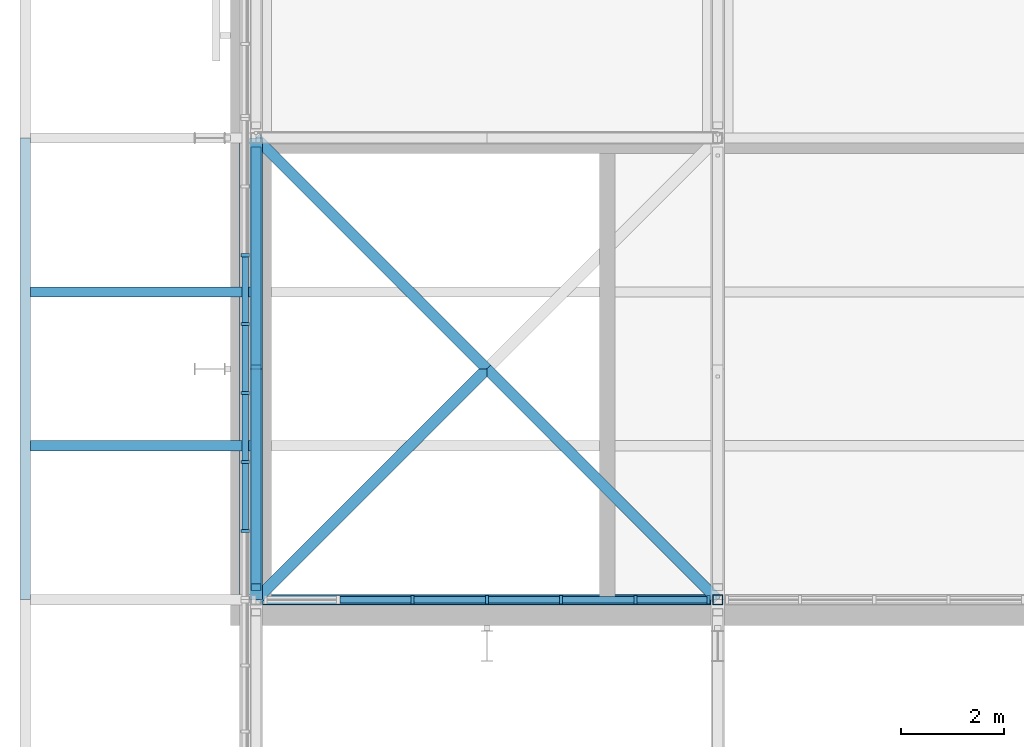
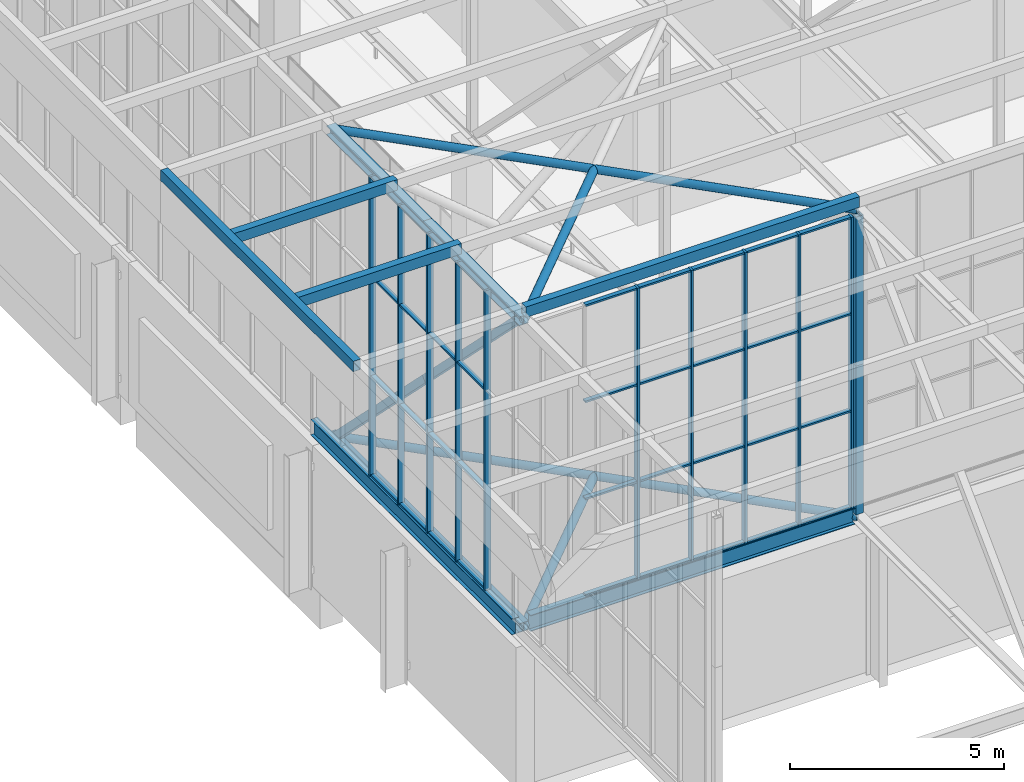
# One storey, part 9 of 646: 64 members, 2 beams, 2 elements without a shape of their own.
"""IFC4 building model written with IfcOpenShell, lengths in metres."""

from ifc_helpers import new_model, si_unit, direction, frame, origin, origin_2d, place, context, subcontext, project, spatial, rectangle, hollow_rectangle, hollow_circle, i_section, extrude, material, material_profile, profile_set, type_object, element, aggregate, save


model = new_model("IFC4")

# Units and contexts
model_context = context("Model", 3, precision=1e-05, world=origin(), true_north=direction((0.0, 1.0)))
body_context = subcontext(model_context, "Body", "Model", "MODEL_VIEW")
ifc_project = project(units=[si_unit("LENGTHUNIT", "METRE"), si_unit("AREAUNIT", "SQUARE_METRE"), si_unit("VOLUMEUNIT", "CUBIC_METRE"), si_unit("PLANEANGLEUNIT", "RADIAN"), si_unit("MASSUNIT", "GRAM", prefix="KILO")], contexts=[model_context])

# Site, building, storey
site_placement = place(None, origin())
site = spatial("IfcSite", under=ifc_project, at=site_placement, CompositionType="ELEMENT")
building_placement = place(site_placement, origin())
building = spatial("IfcBuilding", under=site, at=building_placement, Name="Silverbay Arena", CompositionType="ELEMENT")
storey_placement = place(building_placement, frame((0.0, 0.0, 33.5)))
storey = spatial("IfcBuildingStorey", under=building, at=storey_placement, Name="L05", CompositionType="ELEMENT", Elevation=33.5)

# Curtain wall, members
ifc_material_1 = material(Name="Aluminium framed glazing", Category="aluminium")
curtain_wall_type_1 = type_object("IfcCurtainWallType", Name="Curtain wall clerestory 8693 x 8303", PredefinedType="NOTDEFINED", material=ifc_material_1)
curtain_wall_1_placement = place(storey_placement, origin())
curtain_wall_1 = element("IfcCurtainWall", 1, at=curtain_wall_1_placement, inside=storey, type_object=curtain_wall_type_1, Name="ROOF CLERESTORY CURTAIN WALL south bay 01", PredefinedType="NOTDEFINED")
ifc_material_2 = material(Name="Aluminium", Category="aluminium")
ifc_material_profile_1 = material_profile(ifc_material_2, rectangle(XDim=0.159912109375, YDim=0.06005859375, at=origin_2d()), Name="Mullion 60 x 160")
ifc_profile_set_1 = profile_set([ifc_material_profile_1], Name="Aluminium")
member_type_1 = type_object("IfcMemberType", Name="Mullion 60 x 160", PredefinedType="MULLION", material=ifc_profile_set_1)
member_1_placement = place(storey_placement, frame((57.05126953125, 18.0, 4.4599609375), z_axis=(0.0, 0.0, 1.0), x_axis=(0.0, 1.0, 0.0)))
member_1 = element("IfcMember", 2, at=member_1_placement, type_object=member_type_1, Name="CW54 mullion 3", PredefinedType="MULLION", context=body_context, shape_type="SweptSolid", body=[
    extrude(rectangle(XDim=0.159912109375, YDim=0.06005859375, at=origin_2d()), origin(), (0.0, 0.0, 1.0), 8.303466796875),
])
member_2_placement = place(storey_placement, frame((58.5, 18.0, 4.4599609375), z_axis=(0.0, 0.0, 1.0), x_axis=(0.0, 1.0, 0.0)))
member_2 = element("IfcMember", 3, at=member_2_placement, type_object=member_type_1, Name="CW54 mullion 4", PredefinedType="MULLION", context=body_context, shape_type="SweptSolid", body=[
    extrude(rectangle(XDim=0.159912109375, YDim=0.06005859375, at=origin_2d()), origin(), (0.0, 0.0, 1.0), 8.303466796875),
])
member_3_placement = place(storey_placement, frame((59.94873046875, 18.0, 4.4599609375), z_axis=(0.0, 0.0, 1.0), x_axis=(0.0, 1.0, 0.0)))
member_3 = element("IfcMember", 4, at=member_3_placement, type_object=member_type_1, Name="CW54 mullion 5", PredefinedType="MULLION", context=body_context, shape_type="SweptSolid", body=[
    extrude(rectangle(XDim=0.159912109375, YDim=0.06005859375, at=origin_2d()), origin(), (0.0, 0.0, 1.0), 8.303466796875),
])
member_4_placement = place(storey_placement, frame((61.3974609375, 18.0, 4.4599609375), z_axis=(0.0, 0.0, 1.0), x_axis=(0.0, 1.0, 0.0)))
member_4 = element("IfcMember", 5, at=member_4_placement, type_object=member_type_1, Name="CW54 mullion 6", PredefinedType="MULLION", context=body_context, shape_type="SweptSolid", body=[
    extrude(rectangle(XDim=0.159912109375, YDim=0.06005859375, at=origin_2d()), origin(), (0.0, 0.0, 1.0), 8.303466796875),
])
member_5_placement = place(storey_placement, frame((62.81640625, 18.0, 4.4599609375), z_axis=(0.0, 0.0, 1.0), x_axis=(0.0, 1.0, 0.0)))
member_5 = element("IfcMember", 6, at=member_5_placement, type_object=member_type_1, Name="CW54 mullion 7", PredefinedType="MULLION", context=body_context, shape_type="SweptSolid", body=[
    extrude(rectangle(XDim=0.159912109375, YDim=0.06005859375, at=origin_2d()), origin(), (0.0, 0.0, 1.0), 8.303466796875),
])

ifc_material_3 = material(Name="Aluminium framed glazing", Category="aluminium")
curtain_wall_type_2 = type_object("IfcCurtainWallType", Name="Curtain wall clerestory 9400 x 8547", PredefinedType="NOTDEFINED", material=ifc_material_3)
curtain_wall_2_placement = place(storey_placement, origin())
curtain_wall_2 = element("IfcCurtainWall", 7, at=curtain_wall_2_placement, inside=storey, type_object=curtain_wall_type_2, Name="ROOF GABLE CLERESTORY CURTAIN WALL west bay 02", PredefinedType="NOTDEFINED")
member_6_placement = place(storey_placement, frame((53.7900390625, 19.3427734375, 4.453369140625), z_axis=(0.0, 0.0, 1.0), x_axis=(-1.0, 0.0, 0.0)))
member_6 = element("IfcMember", 8, at=member_6_placement, type_object=member_type_1, Name="CW58 mullion 2", PredefinedType="MULLION", context=body_context, shape_type="SweptSolid", body=[
    extrude(rectangle(XDim=0.159912109375, YDim=0.06005859375, at=origin_2d()), origin(), (0.0, 0.0, 1.0), 8.546630859375),
])
member_7_placement = place(storey_placement, frame((53.7900390625, 20.685791015625, 4.453369140625), z_axis=(0.0, 0.0, 1.0), x_axis=(-1.0, 0.0, 0.0)))
member_7 = element("IfcMember", 9, at=member_7_placement, type_object=member_type_1, Name="CW58 mullion 3", PredefinedType="MULLION", context=body_context, shape_type="SweptSolid", body=[
    extrude(rectangle(XDim=0.159912109375, YDim=0.06005859375, at=origin_2d()), origin(), (0.0, 0.0, 1.0), 8.546630859375),
])
member_8_placement = place(storey_placement, frame((53.7900390625, 22.028564453125, 4.453369140625), z_axis=(0.0, 0.0, 1.0), x_axis=(-1.0, 0.0, 0.0)))
member_8 = element("IfcMember", 10, at=member_8_placement, type_object=member_type_1, Name="CW58 mullion 4", PredefinedType="MULLION", context=body_context, shape_type="SweptSolid", body=[
    extrude(rectangle(XDim=0.159912109375, YDim=0.06005859375, at=origin_2d()), origin(), (0.0, 0.0, 1.0), 8.546630859375),
])
member_9_placement = place(storey_placement, frame((53.7900390625, 23.371337890625, 4.453369140625), z_axis=(0.0, 0.0, 1.0), x_axis=(-1.0, 0.0, 0.0)))
member_9 = element("IfcMember", 11, at=member_9_placement, type_object=member_type_1, Name="CW58 mullion 5", PredefinedType="MULLION", context=body_context, shape_type="SweptSolid", body=[
    extrude(rectangle(XDim=0.159912109375, YDim=0.06005859375, at=origin_2d()), origin(), (0.0, 0.0, 1.0), 8.546630859375),
])
member_10_placement = place(storey_placement, frame((53.7900390625, 24.71435546875, 4.453369140625), z_axis=(0.0, 0.0, 1.0), x_axis=(-1.0, 0.0, 0.0)))
member_10 = element("IfcMember", 12, at=member_10_placement, type_object=member_type_1, Name="CW58 mullion 6", PredefinedType="MULLION", context=body_context, shape_type="SweptSolid", body=[
    extrude(rectangle(XDim=0.159912109375, YDim=0.06005859375, at=origin_2d()), origin(), (0.0, 0.0, 1.0), 8.546630859375),
])

# Members
ifc_material_4 = material(Name="Steel S355", Category="steel")
ifc_material_profile_2 = material_profile(ifc_material_4, hollow_circle(Radius=0.109619140625, WallThickness=0.00634765625, at=origin_2d()), Name="CHS 219.1x6.3")
ifc_profile_set_2 = profile_set([ifc_material_profile_2], Name="Steel S355")
member_type_2 = type_object("IfcMemberType", Name="Plan bracing CHS 219.1x6.3", PredefinedType="BRACE", material=ifc_profile_set_2)
for number, where, z_axis, x_axis, name in (
    (13, (54.0, 18.0, 12.873046875), (0.707106781187, 0.707106781187, 0.0), (-0.707106781187, 0.707106781187, 0.0), "ROOF BRACING top 7-8 panel 02 Aa"),
    (14, (54.0, 27.0, 12.873046875), (0.707106781187, -0.707106781187, 0.0), (0.707106781187, 0.707106781187, 0.0), "ROOF BRACING top 7-8 panel 02 Ba"),
    (15, (58.5, 22.5, 12.873046875), (0.707106781187, -0.707106781187, 0.0), (0.707106781187, 0.707106781187, 0.0), "ROOF BRACING top 7-8 panel 02 Bb"),
    (16, (54.0, 18.0, 4.126953125), (0.707106781187, 0.707106781187, 0.0), (-0.707106781187, 0.707106781187, 0.0), "ROOF BRACING bottom 7-8 panel 02 Aa"),
    (17, (54.0, 27.0, 4.126953125), (0.707106781187, -0.707106781187, 0.0), (0.707106781187, 0.707106781187, 0.0), "ROOF BRACING bottom 7-8 panel 02 Ba"),
    (18, (58.5, 22.5, 4.126953125), (0.707106781187, -0.707106781187, 0.0), (0.707106781187, 0.707106781187, 0.0), "ROOF BRACING bottom 7-8 panel 02 Bb"),
):
    element("IfcMember", number, at=place(storey_placement, frame(where, z_axis=z_axis, x_axis=x_axis)), inside=storey, type_object=member_type_2, Name=name, PredefinedType="BRACE", context=body_context, shape_type="SweptSolid", body=[
        extrude(hollow_circle(Radius=0.109619140625, WallThickness=0.00634765625, at=origin_2d()), origin(), (0.0, 0.0, 1.0), 6.364013671875),
    ])
ifc_material_5 = material(Name="Steel S355", Category="steel")
ifc_material_profile_3 = material_profile(ifc_material_5, hollow_rectangle(XDim=0.199951171875, YDim=0.300048828125, WallThickness=0.008056640625, at=origin_2d()), Name="RHS 300x200x8")
ifc_profile_set_3 = profile_set([ifc_material_profile_3], Name="Steel S355")
member_type_3 = type_object("IfcMemberType", Name="Purlin RHS 300x200x8", PredefinedType="PURLIN", material=ifc_profile_set_3)
member_11_placement = place(storey_placement, frame((54.0, 18.0, 13.14990234375), z_axis=(1.0, 0.0, 0.0), x_axis=(0.0, 1.0, 0.0)))
element("IfcMember", 19, at=member_11_placement, inside=storey, type_object=member_type_3, Name="ROOF PURLIN 7-8 line 04", PredefinedType="PURLIN", context=body_context, shape_type="SweptSolid", body=[
    extrude(hollow_rectangle(XDim=0.199951171875, YDim=0.300048828125, WallThickness=0.008056640625, at=origin_2d()), origin(), (0.0, 0.0, 1.0), 9.0),
])
for number, where, z_axis, x_axis, name in (
    (20, (49.60009765625, 21.0, 13.14990234375), (1.0, 0.0, 0.0), (0.0, 1.0, 0.0), "ROOF PURLIN west eave line 05"),
    (21, (49.60009765625, 24.0, 13.14990234375), (1.0, 0.0, 0.0), (0.0, 1.0, 0.0), "ROOF PURLIN west eave line 06"),
):
    element("IfcMember", number, at=place(storey_placement, frame(where, z_axis=z_axis, x_axis=x_axis)), inside=storey, type_object=member_type_3, Name=name, PredefinedType="PURLIN", context=body_context, shape_type="SweptSolid", body=[
        extrude(hollow_rectangle(XDim=0.199951171875, YDim=0.300048828125, WallThickness=0.008056640625, at=origin_2d()), origin(), (0.0, 0.0, 1.0), 4.39990234375),
    ])
member_12_placement = place(storey_placement, frame((49.5, 18.0, 13.14990234375), z_axis=(0.0, 1.0, 0.0), x_axis=(-1.0, 0.0, 0.0)))
element("IfcMember", 22, at=member_12_placement, inside=storey, type_object=member_type_3, Name="ROOF PURLIN west eave edge 02", PredefinedType="PURLIN", context=body_context, shape_type="SweptSolid", body=[
    extrude(hollow_rectangle(XDim=0.199951171875, YDim=0.300048828125, WallThickness=0.008056640625, at=origin_2d()), origin(), (0.0, 0.0, 1.0), 9.0),
])

# Beams
ifc_material_6 = material(Name="Steel S355", Category="steel")
ifc_material_profile_4 = material_profile(ifc_material_6, i_section(OverallWidth=0.18994140625, OverallDepth=0.453369140625, WebThickness=0.008544921875, FlangeThickness=0.0126953125, at=origin_2d()), Name="UB 457x191x67")
ifc_profile_set_4 = profile_set([ifc_material_profile_4], Name="Steel S355")
beam_type_1 = type_object("IfcBeamType", Name="Ring beam UB 457x191x67", PredefinedType="BEAM", material=ifc_profile_set_4)
beam_1_placement = place(storey_placement, frame((53.775146484375, 18.0, 4.226806640625), z_axis=(0.0, 1.0, 0.0), x_axis=(-1.0, 0.0, 0.0)))
element("IfcBeam", 23, at=beam_1_placement, inside=storey, type_object=beam_type_1, Name="RING BEAM west gable panel 02", PredefinedType="BEAM", context=body_context, shape_type="SweptSolid", body=[
    extrude(i_section(OverallWidth=0.18994140625, OverallDepth=0.453369140625, WebThickness=0.008544921875, FlangeThickness=0.0126953125, at=origin_2d()), origin(), (0.0, 0.0, 1.0), 9.39990234375),
])
ifc_material_7 = material(Name="Steel S355", Category="steel")
ifc_material_profile_5 = material_profile(ifc_material_7, i_section(OverallWidth=0.19140625, OverallDepth=0.4599609375, WebThickness=0.010009765625, FlangeThickness=0.01611328125, at=origin_2d()), Name="UB 457x191x82")
ifc_profile_set_5 = profile_set([ifc_material_profile_5], Name="Steel S355")
beam_type_2 = type_object("IfcBeamType", Name="Ring beam UB 457x191x82", PredefinedType="BEAM", material=ifc_profile_set_5)
beam_2_placement = place(storey_placement, frame((54.127197265625, 18.0, 4.22998046875), z_axis=(1.0, 0.0, 0.0), x_axis=(0.0, 1.0, 0.0)))
element("IfcBeam", 24, at=beam_2_placement, inside=storey, type_object=beam_type_2, Name="RING BEAM south facade 7-8", PredefinedType="BEAM", context=body_context, shape_type="SweptSolid", body=[
    extrude(i_section(OverallWidth=0.19140625, OverallDepth=0.4599609375, WebThickness=0.010009765625, FlangeThickness=0.01611328125, at=origin_2d()), origin(), (0.0, 0.0, 1.0), 8.74560546875),
])

# Members
ifc_material_8 = material(Name="Steel S355", Category="steel")
ifc_material_profile_6 = material_profile(ifc_material_8, i_section(OverallWidth=0.254638671875, OverallDepth=0.254150390625, WebThickness=0.008544921875, FlangeThickness=0.01416015625, at=origin_2d()), Name="UC 254x254x73")
ifc_profile_set_6 = profile_set([ifc_material_profile_6], Name="Steel S355")
member_type_4 = type_object("IfcMemberType", Name="Short-span bottom chord UC 254x254x73", PredefinedType="CHORD", material=ifc_profile_set_6)
for number, where, z_axis, x_axis, name in (
    (25, (54.0, 18.0, 4.126953125), (0.0, 1.0, 0.0), (-1.0, 0.0, 0.0), "ROOF TRUSS 7 bottom chord 02a"),
    (26, (54.0, 22.5, 4.126953125), (0.0, 1.0, 0.0), (-1.0, 0.0, 0.0), "ROOF TRUSS 7 bottom chord 02b"),
):
    element("IfcMember", number, at=place(storey_placement, frame(where, z_axis=z_axis, x_axis=x_axis)), inside=storey, type_object=member_type_4, Name=name, PredefinedType="CHORD", context=body_context, shape_type="SweptSolid", body=[
        extrude(i_section(OverallWidth=0.254638671875, OverallDepth=0.254150390625, WebThickness=0.008544921875, FlangeThickness=0.01416015625, at=origin_2d()), origin(), (0.0, 0.0, 1.0), 4.5),
    ])
ifc_material_9 = material(Name="Steel S355", Category="steel")
ifc_material_profile_7 = material_profile(ifc_material_9, i_section(OverallWidth=0.254638671875, OverallDepth=0.254150390625, WebThickness=0.008544921875, FlangeThickness=0.01416015625, at=origin_2d()), Name="UC 254x254x73")
ifc_profile_set_7 = profile_set([ifc_material_profile_7], Name="Steel S355")
member_type_5 = type_object("IfcMemberType", Name="Short-span top chord UC 254x254x73", PredefinedType="CHORD", material=ifc_profile_set_7)
for number, where, z_axis, x_axis, name in (
    (27, (54.0, 18.0, 12.873046875), (0.0, 1.0, 0.0), (-1.0, 0.0, 0.0), "ROOF TRUSS 7 top chord 02a"),
    (28, (54.0, 22.5, 12.873046875), (0.0, 1.0, 0.0), (-1.0, 0.0, 0.0), "ROOF TRUSS 7 top chord 02b"),
):
    element("IfcMember", number, at=place(storey_placement, frame(where, z_axis=z_axis, x_axis=x_axis)), inside=storey, type_object=member_type_5, Name=name, PredefinedType="CHORD", context=body_context, shape_type="SweptSolid", body=[
        extrude(i_section(OverallWidth=0.254638671875, OverallDepth=0.254150390625, WebThickness=0.008544921875, FlangeThickness=0.01416015625, at=origin_2d()), origin(), (0.0, 0.0, 1.0), 4.5),
    ])
ifc_material_10 = material(Name="Steel S355", Category="steel")
ifc_material_profile_8 = material_profile(ifc_material_10, hollow_rectangle(XDim=0.199951171875, YDim=0.199951171875, WallThickness=0.008056640625, at=origin_2d()), Name="SHS 200x200x8")
ifc_profile_set_8 = profile_set([ifc_material_profile_8], Name="Steel S355")
member_type_6 = type_object("IfcMemberType", Name="Short-span truss diagonal SHS 200x200x8", PredefinedType="BRACE", material=ifc_profile_set_8)
for number, where, z_axis, x_axis, name in (
    (29, (54.0, 18.24560546875, 12.745849609375), (0.0, 0.70781724692, -0.706395600894), (-1.0, 0.0, 0.0), "ROOF TRUSS 7 diagonal 02a"),
    (30, (54.0, 22.5, 8.5), (0.0, 0.70781724692, -0.706395600894), (-1.0, 0.0, 0.0), "ROOF TRUSS 7 diagonal 02b"),
):
    element("IfcMember", number, at=place(storey_placement, frame(where, z_axis=z_axis, x_axis=x_axis)), inside=storey, type_object=member_type_6, Name=name, PredefinedType="BRACE", context=body_context, shape_type="SweptSolid", body=[
        extrude(hollow_rectangle(XDim=0.199951171875, YDim=0.199951171875, WallThickness=0.008056640625, at=origin_2d()), origin(), (0.0, 0.0, 1.0), 6.010498046875),
    ])
ifc_material_11 = material(Name="Steel S355", Category="steel")
ifc_material_profile_9 = material_profile(ifc_material_11, hollow_rectangle(XDim=0.199951171875, YDim=0.199951171875, WallThickness=0.008056640625, at=origin_2d()), Name="SHS 200x200x8")
ifc_profile_set_9 = profile_set([ifc_material_profile_9], Name="Steel S355")
member_type_7 = type_object("IfcMemberType", Name="Short-span truss vertical SHS 200x200x8", PredefinedType="STRUT", material=ifc_profile_set_9)
for number, where, z_axis, x_axis, name in (
    (31, (63.0, 18.0, 4.254150390625), (0.0, 0.0, 1.0), (1.0, 0.0, 0.0), "ROOF TRUSS 8 vertical 02a"),
    (32, (63.0, 18.0, 8.5), (0.0, 0.0, 1.0), (1.0, 0.0, 0.0), "ROOF TRUSS 8 vertical 02b"),
):
    element("IfcMember", number, at=place(storey_placement, frame(where, z_axis=z_axis, x_axis=x_axis)), inside=storey, type_object=member_type_7, Name=name, PredefinedType="STRUT", context=body_context, shape_type="SweptSolid", body=[
        extrude(hollow_rectangle(XDim=0.199951171875, YDim=0.199951171875, WallThickness=0.008056640625, at=origin_2d()), origin(), (0.0, 0.0, 1.0), 4.245849609375),
    ])

# Member
ifc_material_12 = material(Name="Aluminium", Category="aluminium")
ifc_material_profile_10 = material_profile(ifc_material_12, rectangle(XDim=0.1201171875, YDim=0.050048828125, at=origin_2d()), Name="Transom 50 x 120")
ifc_profile_set_10 = profile_set([ifc_material_profile_10], Name="Aluminium")
member_type_8 = type_object("IfcMemberType", Name="Transom 50 x 120", PredefinedType="USERDEFINED", material=ifc_profile_set_10)
member_13_placement = place(storey_placement, frame((55.632568359375, 18.0, 4.485107421875), z_axis=(1.0, 0.0, 0.0), x_axis=(0.0, 1.0, 0.0)))
member_13 = element("IfcMember", 33, at=member_13_placement, type_object=member_type_8, Name="CW54 transom 2.1", ObjectType="TRANSOM", PredefinedType="USERDEFINED", context=body_context, shape_type="SweptSolid", body=[
    extrude(rectangle(XDim=0.1201171875, YDim=0.050048828125, at=origin_2d()), origin(), (0.0, 0.0, 1.0), 1.388671875),
])

member_14_placement = place(storey_placement, frame((55.632568359375, 18.0, 7.227783203125), z_axis=(1.0, 0.0, 0.0), x_axis=(0.0, 1.0, 0.0)))
member_14 = element("IfcMember", 34, at=member_14_placement, type_object=member_type_8, Name="CW54 transom 2.2", ObjectType="TRANSOM", PredefinedType="USERDEFINED", context=body_context, shape_type="SweptSolid", body=[
    extrude(rectangle(XDim=0.1201171875, YDim=0.050048828125, at=origin_2d()), origin(), (0.0, 0.0, 1.0), 1.388671875),
])

member_15_placement = place(storey_placement, frame((55.632568359375, 18.0, 9.99560546875), z_axis=(1.0, 0.0, 0.0), x_axis=(0.0, 1.0, 0.0)))
member_15 = element("IfcMember", 35, at=member_15_placement, type_object=member_type_8, Name="CW54 transom 2.3", ObjectType="TRANSOM", PredefinedType="USERDEFINED", context=body_context, shape_type="SweptSolid", body=[
    extrude(rectangle(XDim=0.1201171875, YDim=0.050048828125, at=origin_2d()), origin(), (0.0, 0.0, 1.0), 1.388671875),
])

member_16_placement = place(storey_placement, frame((55.632568359375, 18.0, 12.73828125), z_axis=(1.0, 0.0, 0.0), x_axis=(0.0, 1.0, 0.0)))
member_16 = element("IfcMember", 36, at=member_16_placement, type_object=member_type_8, Name="CW54 transom 2.4", ObjectType="TRANSOM", PredefinedType="USERDEFINED", context=body_context, shape_type="SweptSolid", body=[
    extrude(rectangle(XDim=0.1201171875, YDim=0.050048828125, at=origin_2d()), origin(), (0.0, 0.0, 1.0), 1.388671875),
])

member_17_placement = place(storey_placement, frame((57.081298828125, 18.0, 4.485107421875), z_axis=(1.0, 0.0, 0.0), x_axis=(0.0, 1.0, 0.0)))
member_17 = element("IfcMember", 37, at=member_17_placement, type_object=member_type_8, Name="CW54 transom 3.1", ObjectType="TRANSOM", PredefinedType="USERDEFINED", context=body_context, shape_type="SweptSolid", body=[
    extrude(rectangle(XDim=0.1201171875, YDim=0.050048828125, at=origin_2d()), origin(), (0.0, 0.0, 1.0), 1.388671875),
])

member_18_placement = place(storey_placement, frame((57.081298828125, 18.0, 7.227783203125), z_axis=(1.0, 0.0, 0.0), x_axis=(0.0, 1.0, 0.0)))
member_18 = element("IfcMember", 38, at=member_18_placement, type_object=member_type_8, Name="CW54 transom 3.2", ObjectType="TRANSOM", PredefinedType="USERDEFINED", context=body_context, shape_type="SweptSolid", body=[
    extrude(rectangle(XDim=0.1201171875, YDim=0.050048828125, at=origin_2d()), origin(), (0.0, 0.0, 1.0), 1.388671875),
])

member_19_placement = place(storey_placement, frame((57.081298828125, 18.0, 9.99560546875), z_axis=(1.0, 0.0, 0.0), x_axis=(0.0, 1.0, 0.0)))
member_19 = element("IfcMember", 39, at=member_19_placement, type_object=member_type_8, Name="CW54 transom 3.3", ObjectType="TRANSOM", PredefinedType="USERDEFINED", context=body_context, shape_type="SweptSolid", body=[
    extrude(rectangle(XDim=0.1201171875, YDim=0.050048828125, at=origin_2d()), origin(), (0.0, 0.0, 1.0), 1.388671875),
])

member_20_placement = place(storey_placement, frame((57.081298828125, 18.0, 12.73828125), z_axis=(1.0, 0.0, 0.0), x_axis=(0.0, 1.0, 0.0)))
member_20 = element("IfcMember", 40, at=member_20_placement, type_object=member_type_8, Name="CW54 transom 3.4", ObjectType="TRANSOM", PredefinedType="USERDEFINED", context=body_context, shape_type="SweptSolid", body=[
    extrude(rectangle(XDim=0.1201171875, YDim=0.050048828125, at=origin_2d()), origin(), (0.0, 0.0, 1.0), 1.388671875),
])

member_21_placement = place(storey_placement, frame((58.530029296875, 18.0, 4.485107421875), z_axis=(1.0, 0.0, 0.0), x_axis=(0.0, 1.0, 0.0)))
member_21 = element("IfcMember", 41, at=member_21_placement, type_object=member_type_8, Name="CW54 transom 4.1", ObjectType="TRANSOM", PredefinedType="USERDEFINED", context=body_context, shape_type="SweptSolid", body=[
    extrude(rectangle(XDim=0.1201171875, YDim=0.050048828125, at=origin_2d()), origin(), (0.0, 0.0, 1.0), 1.388671875),
])

member_22_placement = place(storey_placement, frame((58.530029296875, 18.0, 7.227783203125), z_axis=(1.0, 0.0, 0.0), x_axis=(0.0, 1.0, 0.0)))
member_22 = element("IfcMember", 42, at=member_22_placement, type_object=member_type_8, Name="CW54 transom 4.2", ObjectType="TRANSOM", PredefinedType="USERDEFINED", context=body_context, shape_type="SweptSolid", body=[
    extrude(rectangle(XDim=0.1201171875, YDim=0.050048828125, at=origin_2d()), origin(), (0.0, 0.0, 1.0), 1.388671875),
])

member_23_placement = place(storey_placement, frame((58.530029296875, 18.0, 9.99560546875), z_axis=(1.0, 0.0, 0.0), x_axis=(0.0, 1.0, 0.0)))
member_23 = element("IfcMember", 43, at=member_23_placement, type_object=member_type_8, Name="CW54 transom 4.3", ObjectType="TRANSOM", PredefinedType="USERDEFINED", context=body_context, shape_type="SweptSolid", body=[
    extrude(rectangle(XDim=0.1201171875, YDim=0.050048828125, at=origin_2d()), origin(), (0.0, 0.0, 1.0), 1.388671875),
])

member_24_placement = place(storey_placement, frame((58.530029296875, 18.0, 12.73828125), z_axis=(1.0, 0.0, 0.0), x_axis=(0.0, 1.0, 0.0)))
member_24 = element("IfcMember", 44, at=member_24_placement, type_object=member_type_8, Name="CW54 transom 4.4", ObjectType="TRANSOM", PredefinedType="USERDEFINED", context=body_context, shape_type="SweptSolid", body=[
    extrude(rectangle(XDim=0.1201171875, YDim=0.050048828125, at=origin_2d()), origin(), (0.0, 0.0, 1.0), 1.388671875),
])

member_25_placement = place(storey_placement, frame((59.978759765625, 18.0, 4.485107421875), z_axis=(1.0, 0.0, 0.0), x_axis=(0.0, 1.0, 0.0)))
member_25 = element("IfcMember", 45, at=member_25_placement, type_object=member_type_8, Name="CW54 transom 5.1", ObjectType="TRANSOM", PredefinedType="USERDEFINED", context=body_context, shape_type="SweptSolid", body=[
    extrude(rectangle(XDim=0.1201171875, YDim=0.050048828125, at=origin_2d()), origin(), (0.0, 0.0, 1.0), 1.388671875),
])

member_26_placement = place(storey_placement, frame((59.978759765625, 18.0, 7.227783203125), z_axis=(1.0, 0.0, 0.0), x_axis=(0.0, 1.0, 0.0)))
member_26 = element("IfcMember", 46, at=member_26_placement, type_object=member_type_8, Name="CW54 transom 5.2", ObjectType="TRANSOM", PredefinedType="USERDEFINED", context=body_context, shape_type="SweptSolid", body=[
    extrude(rectangle(XDim=0.1201171875, YDim=0.050048828125, at=origin_2d()), origin(), (0.0, 0.0, 1.0), 1.388671875),
])

member_27_placement = place(storey_placement, frame((59.978759765625, 18.0, 9.99560546875), z_axis=(1.0, 0.0, 0.0), x_axis=(0.0, 1.0, 0.0)))
member_27 = element("IfcMember", 47, at=member_27_placement, type_object=member_type_8, Name="CW54 transom 5.3", ObjectType="TRANSOM", PredefinedType="USERDEFINED", context=body_context, shape_type="SweptSolid", body=[
    extrude(rectangle(XDim=0.1201171875, YDim=0.050048828125, at=origin_2d()), origin(), (0.0, 0.0, 1.0), 1.388671875),
])

member_28_placement = place(storey_placement, frame((59.978759765625, 18.0, 12.73828125), z_axis=(1.0, 0.0, 0.0), x_axis=(0.0, 1.0, 0.0)))
member_28 = element("IfcMember", 48, at=member_28_placement, type_object=member_type_8, Name="CW54 transom 5.4", ObjectType="TRANSOM", PredefinedType="USERDEFINED", context=body_context, shape_type="SweptSolid", body=[
    extrude(rectangle(XDim=0.1201171875, YDim=0.050048828125, at=origin_2d()), origin(), (0.0, 0.0, 1.0), 1.388671875),
])

member_29_placement = place(storey_placement, frame((61.427490234375, 18.0, 4.485107421875), z_axis=(1.0, 0.0, 0.0), x_axis=(0.0, 1.0, 0.0)))
member_29 = element("IfcMember", 49, at=member_29_placement, type_object=member_type_8, Name="CW54 transom 6.1", ObjectType="TRANSOM", PredefinedType="USERDEFINED", context=body_context, shape_type="SweptSolid", body=[
    extrude(rectangle(XDim=0.1201171875, YDim=0.050048828125, at=origin_2d()), origin(), (0.0, 0.0, 1.0), 1.35888671875),
])

member_30_placement = place(storey_placement, frame((61.427490234375, 18.0, 7.227783203125), z_axis=(1.0, 0.0, 0.0), x_axis=(0.0, 1.0, 0.0)))
member_30 = element("IfcMember", 50, at=member_30_placement, type_object=member_type_8, Name="CW54 transom 6.2", ObjectType="TRANSOM", PredefinedType="USERDEFINED", context=body_context, shape_type="SweptSolid", body=[
    extrude(rectangle(XDim=0.1201171875, YDim=0.050048828125, at=origin_2d()), origin(), (0.0, 0.0, 1.0), 1.35888671875),
])

member_31_placement = place(storey_placement, frame((61.427490234375, 18.0, 9.99560546875), z_axis=(1.0, 0.0, 0.0), x_axis=(0.0, 1.0, 0.0)))
member_31 = element("IfcMember", 51, at=member_31_placement, type_object=member_type_8, Name="CW54 transom 6.3", ObjectType="TRANSOM", PredefinedType="USERDEFINED", context=body_context, shape_type="SweptSolid", body=[
    extrude(rectangle(XDim=0.1201171875, YDim=0.050048828125, at=origin_2d()), origin(), (0.0, 0.0, 1.0), 1.35888671875),
])

member_32_placement = place(storey_placement, frame((61.427490234375, 18.0, 12.73828125), z_axis=(1.0, 0.0, 0.0), x_axis=(0.0, 1.0, 0.0)))
member_32 = element("IfcMember", 52, at=member_32_placement, type_object=member_type_8, Name="CW54 transom 6.4", ObjectType="TRANSOM", PredefinedType="USERDEFINED", context=body_context, shape_type="SweptSolid", body=[
    extrude(rectangle(XDim=0.1201171875, YDim=0.050048828125, at=origin_2d()), origin(), (0.0, 0.0, 1.0), 1.35888671875),
])

aggregate(curtain_wall_1, [member_1, member_2, member_3, member_4, member_5, member_13, member_14, member_15, member_16, member_17, member_18, member_19, member_20, member_21, member_22, member_23, member_24, member_25, member_26, member_27, member_28, member_29, member_30, member_31, member_32])

member_33_placement = place(storey_placement, frame((53.7900390625, 19.372802734375, 4.478515625), z_axis=(0.0, 1.0, 0.0), x_axis=(-1.0, 0.0, 0.0)))
member_33 = element("IfcMember", 53, at=member_33_placement, type_object=member_type_8, Name="CW58 transom 2.1", ObjectType="TRANSOM", PredefinedType="USERDEFINED", context=body_context, shape_type="SweptSolid", body=[
    extrude(rectangle(XDim=0.1201171875, YDim=0.050048828125, at=origin_2d()), origin(), (0.0, 0.0, 1.0), 1.282958984375),
])

member_34_placement = place(storey_placement, frame((53.7900390625, 19.372802734375, 7.30224609375), z_axis=(0.0, 1.0, 0.0), x_axis=(-1.0, 0.0, 0.0)))
member_34 = element("IfcMember", 54, at=member_34_placement, type_object=member_type_8, Name="CW58 transom 2.2", ObjectType="TRANSOM", PredefinedType="USERDEFINED", context=body_context, shape_type="SweptSolid", body=[
    extrude(rectangle(XDim=0.1201171875, YDim=0.050048828125, at=origin_2d()), origin(), (0.0, 0.0, 1.0), 1.282958984375),
])

member_35_placement = place(storey_placement, frame((53.7900390625, 19.372802734375, 10.151123046875), z_axis=(0.0, 1.0, 0.0), x_axis=(-1.0, 0.0, 0.0)))
member_35 = element("IfcMember", 55, at=member_35_placement, type_object=member_type_8, Name="CW58 transom 2.3", ObjectType="TRANSOM", PredefinedType="USERDEFINED", context=body_context, shape_type="SweptSolid", body=[
    extrude(rectangle(XDim=0.1201171875, YDim=0.050048828125, at=origin_2d()), origin(), (0.0, 0.0, 1.0), 1.282958984375),
])

member_36_placement = place(storey_placement, frame((53.7900390625, 19.372802734375, 12.97509765625), z_axis=(0.0, 1.0, 0.0), x_axis=(-1.0, 0.0, 0.0)))
member_36 = element("IfcMember", 56, at=member_36_placement, type_object=member_type_8, Name="CW58 transom 2.4", ObjectType="TRANSOM", PredefinedType="USERDEFINED", context=body_context, shape_type="SweptSolid", body=[
    extrude(rectangle(XDim=0.1201171875, YDim=0.050048828125, at=origin_2d()), origin(), (0.0, 0.0, 1.0), 1.282958984375),
])

member_37_placement = place(storey_placement, frame((53.7900390625, 20.7158203125, 4.478515625), z_axis=(0.0, 1.0, 0.0), x_axis=(-1.0, 0.0, 0.0)))
member_37 = element("IfcMember", 57, at=member_37_placement, type_object=member_type_8, Name="CW58 transom 3.1", ObjectType="TRANSOM", PredefinedType="USERDEFINED", context=body_context, shape_type="SweptSolid", body=[
    extrude(rectangle(XDim=0.1201171875, YDim=0.050048828125, at=origin_2d()), origin(), (0.0, 0.0, 1.0), 1.28271484375),
])

member_38_placement = place(storey_placement, frame((53.7900390625, 20.7158203125, 7.30224609375), z_axis=(0.0, 1.0, 0.0), x_axis=(-1.0, 0.0, 0.0)))
member_38 = element("IfcMember", 58, at=member_38_placement, type_object=member_type_8, Name="CW58 transom 3.2", ObjectType="TRANSOM", PredefinedType="USERDEFINED", context=body_context, shape_type="SweptSolid", body=[
    extrude(rectangle(XDim=0.1201171875, YDim=0.050048828125, at=origin_2d()), origin(), (0.0, 0.0, 1.0), 1.28271484375),
])

member_39_placement = place(storey_placement, frame((53.7900390625, 20.7158203125, 10.151123046875), z_axis=(0.0, 1.0, 0.0), x_axis=(-1.0, 0.0, 0.0)))
member_39 = element("IfcMember", 59, at=member_39_placement, type_object=member_type_8, Name="CW58 transom 3.3", ObjectType="TRANSOM", PredefinedType="USERDEFINED", context=body_context, shape_type="SweptSolid", body=[
    extrude(rectangle(XDim=0.1201171875, YDim=0.050048828125, at=origin_2d()), origin(), (0.0, 0.0, 1.0), 1.28271484375),
])

member_40_placement = place(storey_placement, frame((53.7900390625, 20.7158203125, 12.97509765625), z_axis=(0.0, 1.0, 0.0), x_axis=(-1.0, 0.0, 0.0)))
member_40 = element("IfcMember", 60, at=member_40_placement, type_object=member_type_8, Name="CW58 transom 3.4", ObjectType="TRANSOM", PredefinedType="USERDEFINED", context=body_context, shape_type="SweptSolid", body=[
    extrude(rectangle(XDim=0.1201171875, YDim=0.050048828125, at=origin_2d()), origin(), (0.0, 0.0, 1.0), 1.28271484375),
])

member_41_placement = place(storey_placement, frame((53.7900390625, 22.05859375, 4.478515625), z_axis=(0.0, 1.0, 0.0), x_axis=(-1.0, 0.0, 0.0)))
member_41 = element("IfcMember", 61, at=member_41_placement, type_object=member_type_8, Name="CW58 transom 4.1", ObjectType="TRANSOM", PredefinedType="USERDEFINED", context=body_context, shape_type="SweptSolid", body=[
    extrude(rectangle(XDim=0.1201171875, YDim=0.050048828125, at=origin_2d()), origin(), (0.0, 0.0, 1.0), 1.28271484375),
])

member_42_placement = place(storey_placement, frame((53.7900390625, 22.05859375, 7.30224609375), z_axis=(0.0, 1.0, 0.0), x_axis=(-1.0, 0.0, 0.0)))
member_42 = element("IfcMember", 62, at=member_42_placement, type_object=member_type_8, Name="CW58 transom 4.2", ObjectType="TRANSOM", PredefinedType="USERDEFINED", context=body_context, shape_type="SweptSolid", body=[
    extrude(rectangle(XDim=0.1201171875, YDim=0.050048828125, at=origin_2d()), origin(), (0.0, 0.0, 1.0), 1.28271484375),
])

member_43_placement = place(storey_placement, frame((53.7900390625, 22.05859375, 10.151123046875), z_axis=(0.0, 1.0, 0.0), x_axis=(-1.0, 0.0, 0.0)))
member_43 = element("IfcMember", 63, at=member_43_placement, type_object=member_type_8, Name="CW58 transom 4.3", ObjectType="TRANSOM", PredefinedType="USERDEFINED", context=body_context, shape_type="SweptSolid", body=[
    extrude(rectangle(XDim=0.1201171875, YDim=0.050048828125, at=origin_2d()), origin(), (0.0, 0.0, 1.0), 1.28271484375),
])

member_44_placement = place(storey_placement, frame((53.7900390625, 22.05859375, 12.97509765625), z_axis=(0.0, 1.0, 0.0), x_axis=(-1.0, 0.0, 0.0)))
member_44 = element("IfcMember", 64, at=member_44_placement, type_object=member_type_8, Name="CW58 transom 4.4", ObjectType="TRANSOM", PredefinedType="USERDEFINED", context=body_context, shape_type="SweptSolid", body=[
    extrude(rectangle(XDim=0.1201171875, YDim=0.050048828125, at=origin_2d()), origin(), (0.0, 0.0, 1.0), 1.28271484375),
])

member_45_placement = place(storey_placement, frame((53.7900390625, 23.4013671875, 4.478515625), z_axis=(0.0, 1.0, 0.0), x_axis=(-1.0, 0.0, 0.0)))
member_45 = element("IfcMember", 65, at=member_45_placement, type_object=member_type_8, Name="CW58 transom 5.1", ObjectType="TRANSOM", PredefinedType="USERDEFINED", context=body_context, shape_type="SweptSolid", body=[
    extrude(rectangle(XDim=0.1201171875, YDim=0.050048828125, at=origin_2d()), origin(), (0.0, 0.0, 1.0), 1.282958984375),
])

member_46_placement = place(storey_placement, frame((53.7900390625, 23.4013671875, 7.30224609375), z_axis=(0.0, 1.0, 0.0), x_axis=(-1.0, 0.0, 0.0)))
member_46 = element("IfcMember", 66, at=member_46_placement, type_object=member_type_8, Name="CW58 transom 5.2", ObjectType="TRANSOM", PredefinedType="USERDEFINED", context=body_context, shape_type="SweptSolid", body=[
    extrude(rectangle(XDim=0.1201171875, YDim=0.050048828125, at=origin_2d()), origin(), (0.0, 0.0, 1.0), 1.282958984375),
])

member_47_placement = place(storey_placement, frame((53.7900390625, 23.4013671875, 10.151123046875), z_axis=(0.0, 1.0, 0.0), x_axis=(-1.0, 0.0, 0.0)))
member_47 = element("IfcMember", 67, at=member_47_placement, type_object=member_type_8, Name="CW58 transom 5.3", ObjectType="TRANSOM", PredefinedType="USERDEFINED", context=body_context, shape_type="SweptSolid", body=[
    extrude(rectangle(XDim=0.1201171875, YDim=0.050048828125, at=origin_2d()), origin(), (0.0, 0.0, 1.0), 1.282958984375),
])

member_48_placement = place(storey_placement, frame((53.7900390625, 23.4013671875, 12.97509765625), z_axis=(0.0, 1.0, 0.0), x_axis=(-1.0, 0.0, 0.0)))
member_48 = element("IfcMember", 68, at=member_48_placement, type_object=member_type_8, Name="CW58 transom 5.4", ObjectType="TRANSOM", PredefinedType="USERDEFINED", context=body_context, shape_type="SweptSolid", body=[
    extrude(rectangle(XDim=0.1201171875, YDim=0.050048828125, at=origin_2d()), origin(), (0.0, 0.0, 1.0), 1.282958984375),
])

aggregate(curtain_wall_2, [member_6, member_7, member_8, member_9, member_10, member_33, member_34, member_35, member_36, member_37, member_38, member_39, member_40, member_41, member_42, member_43, member_44, member_45, member_46, member_47, member_48])

save(model, "model.ifc")
